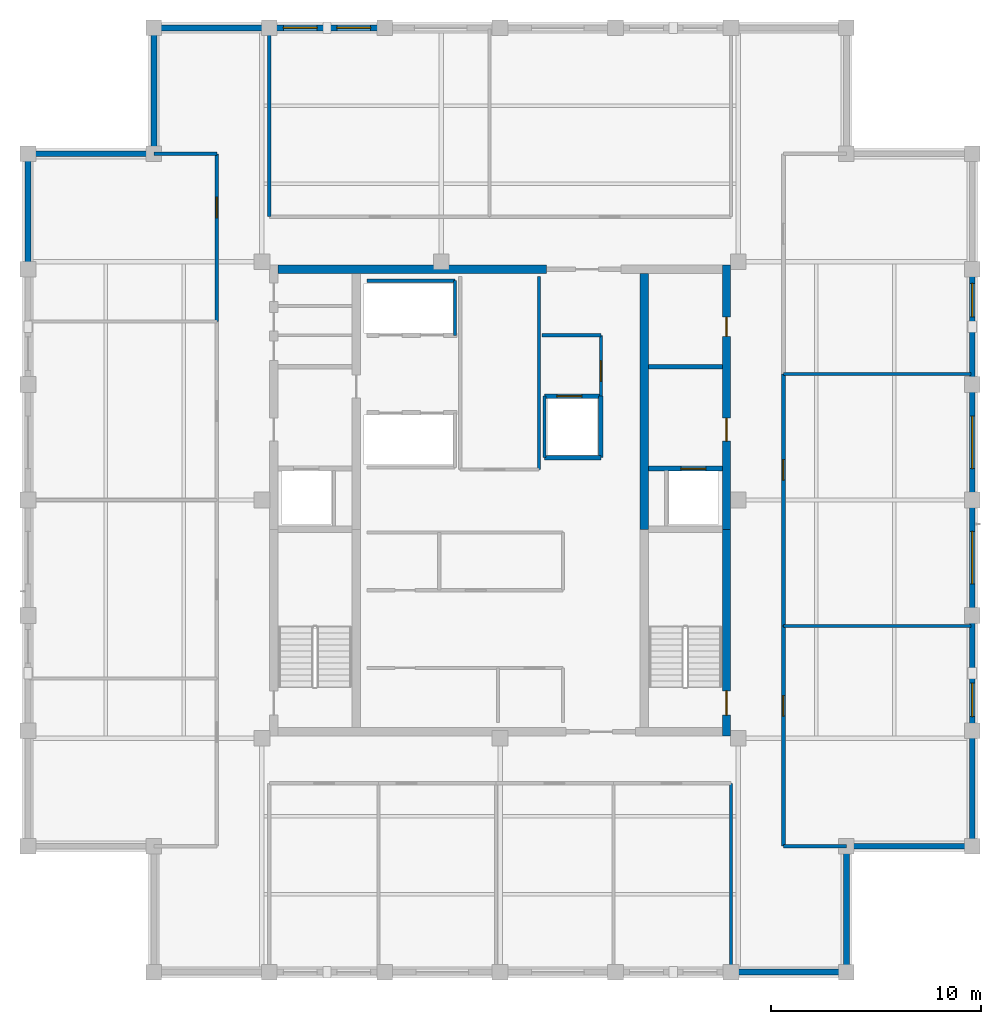
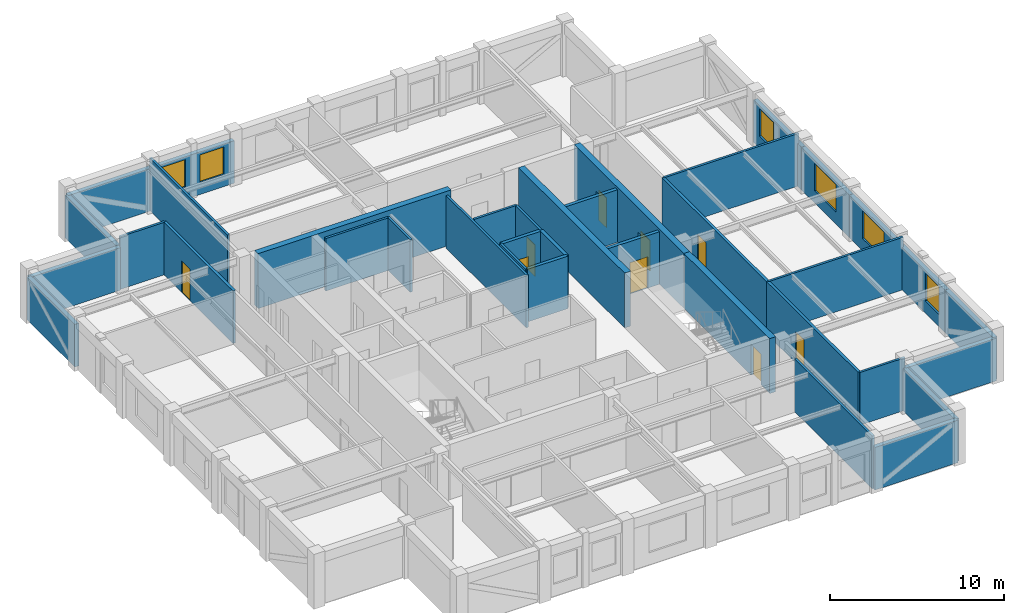
# One storey, part 7 of 9: 37 walls, 9 doors, 6 windows, 15 openings.
"""IFC4 building model written with IfcOpenShell, lengths in metres."""

from ifc_helpers import new_model, si_unit, direction, frame, frame_2d, origin, place, context, subcontext, project, spatial, rectangle, extrude, material, layer, layer_set, type_object, element, fill, save


model = new_model("IFC4")

# Units and contexts
model_context = context("Model", 3, precision=1e-05, world=origin(), true_north=direction((0.0, 1.0)))
body_context = subcontext(model_context, "Body", "Model", "MODEL_VIEW")
ifc_project = project(units=[si_unit("LENGTHUNIT", "METRE"), si_unit("AREAUNIT", "SQUARE_METRE"), si_unit("VOLUMEUNIT", "CUBIC_METRE"), si_unit("PLANEANGLEUNIT", "RADIAN"), si_unit("MASSUNIT", "GRAM", prefix="KILO")], contexts=[model_context])

# Site, building, storey
site_placement = place(None, origin())
site = spatial("IfcSite", under=ifc_project, at=site_placement, CompositionType="ELEMENT")
building_placement = place(site_placement, origin())
building = spatial("IfcBuilding", under=site, at=building_placement, Name="Nhamokura Convention Tower", CompositionType="ELEMENT")
storey_placement = place(building_placement, frame((0.0, 0.0, 269.85009765625)))
storey = spatial("IfcBuildingStorey", under=building, at=storey_placement, Name="L66", CompositionType="ELEMENT", Elevation=269.85009765625)

# Walls
ifc_material_1 = material(Name="Bronze-pigmented precast concrete C45/55", Category="concrete")
ifc_layer_1 = layer(ifc_material_1, 0.280029296875)
ifc_layer_set_1 = layer_set([ifc_layer_1], Name="BronzePrecastSpandrel_280")
wall_type_1 = type_object("IfcWallType", Name="BronzePrecastSpandrel_280", PredefinedType="USERDEFINED", material=ifc_layer_set_1)
for number, where, z_axis, x_axis, name in (
    (1, (48.5, 9.5, 0.0), (0.0, 0.0, 1.0), (-1.0, 0.0, 0.0), "L66 Braced-Bay Precast Wall SOUTH 5"),
    (2, (15.5, 54.5, 0.0), (0.0, 0.0, 1.0), (1.0, 0.0, 0.0), "L66 Braced-Bay Precast Wall NORTH 0"),
):
    element("IfcWall", number, at=place(storey_placement, frame(where, z_axis=z_axis, x_axis=x_axis)), inside=storey, type_object=wall_type_1, Name=name, ObjectType="SPANDREL_WALL", PredefinedType="USERDEFINED", context=body_context, shape_type="SweptSolid", body=[
        extrude(rectangle(XDim=5.5, YDim=0.280029296875, at=frame_2d((2.75, 0.0))), origin(), (0.0, 0.0, 1.0), 2.98486328125),
    ])

# Wall, openings, windows
wall_1_placement = place(storey_placement, frame((21.0, 54.5, 0.0), z_axis=(0.0, 0.0, 1.0), x_axis=(1.0, 0.0, 0.0)))
wall_1 = element("IfcWall", 3, at=wall_1_placement, inside=storey, type_object=wall_type_1, Name="L66 Masonry-Frame Wall NORTH 1", ObjectType="SPANDREL_WALL", PredefinedType="USERDEFINED", context=body_context, shape_type="SweptSolid", body=[
    extrude(rectangle(XDim=5.5, YDim=0.280029296875, at=frame_2d((2.75, 0.0))), origin(), (0.0, 0.0, 1.0), 2.98486328125),
])
opening_1_placement = place(wall_1_placement, frame((0.675048828125, 0.0, 0.85009765625)))
opening_1 = element("IfcOpeningElement", 4, at=opening_1_placement, cuts=wall_1, Name="Opening W-11", PredefinedType="OPENING", context=body_context, shape_type="SweptSolid", body=[
    extrude(rectangle(XDim=1.60009765625, YDim=1.93505859375, at=frame_2d((0.800048828125, 0.967529296875))), frame((0.0, 0.14990234375, 0.0), z_axis=(0.0, -1.0, 0.0), x_axis=(1.0, 0.0, 0.0)), (0.0, 0.0, 1.0), 0.300048828125),
])
opening_2_placement = place(wall_1_placement, frame((3.22509765625, 0.0, 0.85009765625)))
opening_2 = element("IfcOpeningElement", 5, at=opening_2_placement, cuts=wall_1, Name="Opening W-11", PredefinedType="OPENING", context=body_context, shape_type="SweptSolid", body=[
    extrude(rectangle(XDim=1.60009765625, YDim=1.93505859375, at=frame_2d((0.800048828125, 0.967529296875))), frame((0.0, 0.14990234375, 0.0), z_axis=(0.0, -1.0, 0.0), x_axis=(1.0, 0.0, 0.0)), (0.0, 0.0, 1.0), 0.300048828125),
])
ifc_material_2 = material(Name="Solar-control bronze low-E double glass", Category="glass")
window_type_1 = type_object("IfcWindowType", Name="NotchCornerWindow_1600", PartitioningType="SINGLE_PANEL", PredefinedType="WINDOW", material=ifc_material_2)
window_1_placement = place(opening_1_placement, origin())
window_1 = element("IfcWindow", 6, at=window_1_placement, inside=storey, type_object=window_type_1, Name="L66 Facade Window NORTH 1-1", OverallHeight=1.93505859375, OverallWidth=1.60009765625, PartitioningType="SINGLE_PANEL", PredefinedType="WINDOW", context=body_context, shape_type="SweptSolid", body=[
    extrude(rectangle(XDim=1.60009765625, YDim=1.93505859375, at=frame_2d((0.800048828125, 0.967529296875))), frame((0.0, 0.030029296875, 0.0), z_axis=(0.0, -1.0, 0.0), x_axis=(1.0, 0.0, 0.0)), (0.0, 0.0, 1.0), 0.06005859375),
])
fill(opening_1, window_1)
window_2_placement = place(opening_2_placement, origin())
window_2 = element("IfcWindow", 7, at=window_2_placement, inside=storey, type_object=window_type_1, Name="L66 Facade Window NORTH 1-2", OverallHeight=1.93505859375, OverallWidth=1.60009765625, PartitioningType="SINGLE_PANEL", PredefinedType="WINDOW", context=body_context, shape_type="SweptSolid", body=[
    extrude(rectangle(XDim=1.60009765625, YDim=1.93505859375, at=frame_2d((0.800048828125, 0.967529296875))), frame((0.0, 0.030029296875, 0.0), z_axis=(0.0, -1.0, 0.0), x_axis=(1.0, 0.0, 0.0)), (0.0, 0.0, 1.0), 0.06005859375),
])
fill(opening_2, window_2)

# Walls
for number, where, z_axis, x_axis, name in (
    (8, (9.5, 43.0, 0.0), (0.0, 0.0, 1.0), (0.0, 1.0, 0.0), "L66 Braced-Bay Precast Wall WEST 5"),
    (9, (54.5, 21.0, 0.0), (0.0, 0.0, 1.0), (0.0, -1.0, 0.0), "L66 Braced-Bay Precast Wall EAST 0"),
):
    element("IfcWall", number, at=place(storey_placement, frame(where, z_axis=z_axis, x_axis=x_axis)), inside=storey, type_object=wall_type_1, Name=name, ObjectType="SPANDREL_WALL", PredefinedType="USERDEFINED", context=body_context, shape_type="SweptSolid", body=[
        extrude(rectangle(XDim=5.5, YDim=0.280029296875, at=frame_2d((2.75, 0.0))), origin(), (0.0, 0.0, 1.0), 2.98486328125),
    ])

# Wall, opening, window
wall_2_placement = place(storey_placement, frame((54.5, 26.5, 0.0), z_axis=(0.0, 0.0, 1.0), x_axis=(0.0, -1.0, 0.0)))
wall_2 = element("IfcWall", 10, at=wall_2_placement, inside=storey, type_object=wall_type_1, Name="L66 Masonry-Frame Wall EAST 1", ObjectType="SPANDREL_WALL", PredefinedType="USERDEFINED", context=body_context, shape_type="SweptSolid", body=[
    extrude(rectangle(XDim=5.5, YDim=0.280029296875, at=frame_2d((2.75, 0.0))), origin(), (0.0, 0.0, 1.0), 2.98486328125),
])
opening_3_placement = place(wall_2_placement, frame((3.22509765625, 0.0, 0.85009765625)))
opening_3 = element("IfcOpeningElement", 11, at=opening_3_placement, cuts=wall_2, Name="Opening W-11", PredefinedType="OPENING", context=body_context, shape_type="SweptSolid", body=[
    extrude(rectangle(XDim=1.60009765625, YDim=1.93505859375, at=frame_2d((0.800048828125, 0.967529296875))), frame((0.0, 0.14990234375, 0.0), z_axis=(0.0, -1.0, 0.0), x_axis=(1.0, 0.0, 0.0)), (0.0, 0.0, 1.0), 0.300048828125),
])
window_3_placement = place(opening_3_placement, origin())
window_3 = element("IfcWindow", 12, at=window_3_placement, inside=storey, type_object=window_type_1, Name="L66 Facade Window EAST 1-2", OverallHeight=1.93505859375, OverallWidth=1.60009765625, PartitioningType="SINGLE_PANEL", PredefinedType="WINDOW", context=body_context, shape_type="SweptSolid", body=[
    extrude(rectangle(XDim=1.60009765625, YDim=1.93505859375, at=frame_2d((0.800048828125, 0.967529296875))), frame((0.0, 0.030029296875, 0.0), z_axis=(0.0, -1.0, 0.0), x_axis=(1.0, 0.0, 0.0)), (0.0, 0.0, 1.0), 0.06005859375),
])
fill(opening_3, window_3)

wall_3_placement = place(storey_placement, frame((54.5, 32.0, 0.0), z_axis=(0.0, 0.0, 1.0), x_axis=(0.0, -1.0, 0.0)))
wall_3 = element("IfcWall", 13, at=wall_3_placement, inside=storey, type_object=wall_type_1, Name="L66 Masonry-Frame Wall EAST 2", ObjectType="SPANDREL_WALL", PredefinedType="USERDEFINED", context=body_context, shape_type="SweptSolid", body=[
    extrude(rectangle(XDim=5.5, YDim=0.280029296875, at=frame_2d((2.75, 0.0))), origin(), (0.0, 0.0, 1.0), 2.98486328125),
])
opening_4_placement = place(wall_3_placement, frame((1.5, 0.0, 0.85009765625)))
opening_4 = element("IfcOpeningElement", 14, at=opening_4_placement, cuts=wall_3, Name="Opening W-09", PredefinedType="OPENING", context=body_context, shape_type="SweptSolid", body=[
    extrude(rectangle(XDim=2.5, YDim=1.93505859375, at=frame_2d((1.25, 0.967529296875))), frame((0.0, 0.14990234375, 0.0), z_axis=(0.0, -1.0, 0.0), x_axis=(1.0, 0.0, 0.0)), (0.0, 0.0, 1.0), 0.300048828125),
])
ifc_material_3 = material(Name="Solar-control bronze low-E double glass", Category="glass")
window_type_2 = type_object("IfcWindowType", Name="SummitWindow_Z4_2500", PartitioningType="DOUBLE_PANEL_VERTICAL", PredefinedType="WINDOW", material=ifc_material_3)
window_4_placement = place(opening_4_placement, origin())
window_4 = element("IfcWindow", 15, at=window_4_placement, inside=storey, type_object=window_type_2, Name="L66 Facade Window EAST 2", OverallHeight=1.93505859375, OverallWidth=2.5, PartitioningType="SINGLE_PANEL", PredefinedType="WINDOW", context=body_context, shape_type="SweptSolid", body=[
    extrude(rectangle(XDim=2.5, YDim=1.93505859375, at=frame_2d((1.25, 0.967529296875))), frame((0.0, 0.030029296875, 0.0), z_axis=(0.0, -1.0, 0.0), x_axis=(1.0, 0.0, 0.0)), (0.0, 0.0, 1.0), 0.06005859375),
])
fill(opening_4, window_4)

wall_4_placement = place(storey_placement, frame((54.5, 37.5, 0.0), z_axis=(0.0, 0.0, 1.0), x_axis=(0.0, -1.0, 0.0)))
wall_4 = element("IfcWall", 16, at=wall_4_placement, inside=storey, type_object=wall_type_1, Name="L66 Masonry-Frame Wall EAST 3", ObjectType="SPANDREL_WALL", PredefinedType="USERDEFINED", context=body_context, shape_type="SweptSolid", body=[
    extrude(rectangle(XDim=5.5, YDim=0.280029296875, at=frame_2d((2.75, 0.0))), origin(), (0.0, 0.0, 1.0), 2.98486328125),
])
opening_5_placement = place(wall_4_placement, frame((1.5, 0.0, 0.85009765625)))
opening_5 = element("IfcOpeningElement", 17, at=opening_5_placement, cuts=wall_4, Name="Opening W-09", PredefinedType="OPENING", context=body_context, shape_type="SweptSolid", body=[
    extrude(rectangle(XDim=2.5, YDim=1.93505859375, at=frame_2d((1.25, 0.967529296875))), frame((0.0, 0.14990234375, 0.0), z_axis=(0.0, -1.0, 0.0), x_axis=(1.0, 0.0, 0.0)), (0.0, 0.0, 1.0), 0.300048828125),
])
window_5_placement = place(opening_5_placement, origin())
window_5 = element("IfcWindow", 18, at=window_5_placement, inside=storey, type_object=window_type_2, Name="L66 Facade Window EAST 3", OverallHeight=1.93505859375, OverallWidth=2.5, PartitioningType="SINGLE_PANEL", PredefinedType="WINDOW", context=body_context, shape_type="SweptSolid", body=[
    extrude(rectangle(XDim=2.5, YDim=1.93505859375, at=frame_2d((1.25, 0.967529296875))), frame((0.0, 0.030029296875, 0.0), z_axis=(0.0, -1.0, 0.0), x_axis=(1.0, 0.0, 0.0)), (0.0, 0.0, 1.0), 0.06005859375),
])
fill(opening_5, window_5)

wall_5_placement = place(storey_placement, frame((54.5, 43.0, 0.0), z_axis=(0.0, 0.0, 1.0), x_axis=(0.0, -1.0, 0.0)))
wall_5 = element("IfcWall", 19, at=wall_5_placement, inside=storey, type_object=wall_type_1, Name="L66 Masonry-Frame Wall EAST 4", ObjectType="SPANDREL_WALL", PredefinedType="USERDEFINED", context=body_context, shape_type="SweptSolid", body=[
    extrude(rectangle(XDim=5.5, YDim=0.280029296875, at=frame_2d((2.75, 0.0))), origin(), (0.0, 0.0, 1.0), 2.98486328125),
])
opening_6_placement = place(wall_5_placement, frame((0.675048828125, 0.0, 0.85009765625)))
opening_6 = element("IfcOpeningElement", 20, at=opening_6_placement, cuts=wall_5, Name="Opening W-11", PredefinedType="OPENING", context=body_context, shape_type="SweptSolid", body=[
    extrude(rectangle(XDim=1.60009765625, YDim=1.93505859375, at=frame_2d((0.800048828125, 0.967529296875))), frame((0.0, 0.14990234375, 0.0), z_axis=(0.0, -1.0, 0.0), x_axis=(1.0, 0.0, 0.0)), (0.0, 0.0, 1.0), 0.300048828125),
])
window_6_placement = place(opening_6_placement, origin())
window_6 = element("IfcWindow", 21, at=window_6_placement, inside=storey, type_object=window_type_1, Name="L66 Facade Window EAST 4-1", OverallHeight=1.93505859375, OverallWidth=1.60009765625, PartitioningType="SINGLE_PANEL", PredefinedType="WINDOW", context=body_context, shape_type="SweptSolid", body=[
    extrude(rectangle(XDim=1.60009765625, YDim=1.93505859375, at=frame_2d((0.800048828125, 0.967529296875))), frame((0.0, 0.030029296875, 0.0), z_axis=(0.0, -1.0, 0.0), x_axis=(1.0, 0.0, 0.0)), (0.0, 0.0, 1.0), 0.06005859375),
])
fill(opening_6, window_6)

# Walls
for number, where, z_axis, x_axis, name in (
    (22, (48.5, 15.5, 0.0), (0.0, 0.0, 1.0), (0.0, -1.0, 0.0), "L66 Notched Corner Wall SE1"),
    (23, (54.5, 15.5, 0.0), (0.0, 0.0, 1.0), (-1.0, 0.0, 0.0), "L66 Notched Corner Wall SE2"),
    (24, (15.5, 48.5, 0.0), (0.0, 0.0, 1.0), (0.0, 1.0, 0.0), "L66 Notched Corner Wall NW1"),
    (25, (9.5, 48.5, 0.0), (0.0, 0.0, 1.0), (1.0, 0.0, 0.0), "L66 Notched Corner Wall NW2"),
):
    element("IfcWall", number, at=place(storey_placement, frame(where, z_axis=z_axis, x_axis=x_axis)), inside=storey, type_object=wall_type_1, Name=name, ObjectType="SPANDREL_WALL", PredefinedType="USERDEFINED", context=body_context, shape_type="SweptSolid", body=[
        extrude(rectangle(XDim=6.0, YDim=0.280029296875, at=frame_2d((3.0, 0.0))), origin(), (0.0, 0.0, 1.0), 2.98486328125),
    ])

# Wall, opening, door
ifc_material_4 = material(Name="Concrete C50/60", Category="concrete")
ifc_layer_2 = layer(ifc_material_4, 0.39990234375)
ifc_layer_set_2 = layer_set([ifc_layer_2], Name="CoreShearWall_400")
wall_type_2 = type_object("IfcWallType", Name="CoreShearWall_400", PredefinedType="SHEAR", material=ifc_layer_set_2)
wall_6_placement = place(storey_placement, frame((42.7900390625, 20.75, 0.0), z_axis=(0.0, 0.0, 1.0), x_axis=(0.0, 1.0, 0.0)))
wall_6 = element("IfcWall", 26, at=wall_6_placement, inside=storey, type_object=wall_type_2, Name="L66 Core Shear Wall CW-ES", PredefinedType="SHEAR", context=body_context, shape_type="SweptSolid", body=[
    extrude(rectangle(XDim=9.85009765625, YDim=0.39990234375, at=frame_2d((4.925048828125, 0.0))), origin(), (0.0, 0.0, 1.0), 3.849853515625),
])
opening_7_placement = place(wall_6_placement, frame((1.0, 0.0, 0.0)))
opening_7 = element("IfcOpeningElement", 27, at=opening_7_placement, cuts=wall_6, Name="Opening D-04", PredefinedType="OPENING", context=body_context, shape_type="SweptSolid", body=[
    extrude(rectangle(XDim=1.14990234375, YDim=2.14990234375, at=frame_2d((0.574951171875, 1.074951171875))), frame((0.0, 0.2099609375, 0.0), z_axis=(0.0, -1.0, 0.0), x_axis=(1.0, 0.0, 0.0)), (0.0, 0.0, 1.0), 0.419921875),
])
ifc_material_5 = material(Name="Fire-rated steel door", Category="steel")
door_type_1 = type_object("IfcDoorType", Name="StairSmokeDoor_1150", OperationType="NOTDEFINED", PredefinedType="DOOR", material=ifc_material_5)
door_1_placement = place(opening_7_placement, origin())
door_1 = element("IfcDoor", 28, at=door_1_placement, inside=storey, type_object=door_type_1, Name="L66 Core Door INT-L66-D-ST02", OperationType="SINGLE_SWING_RIGHT", OverallHeight=2.14990234375, OverallWidth=1.14990234375, PredefinedType="DOOR", context=body_context, shape_type="SweptSolid", body=[
    extrude(rectangle(XDim=1.14990234375, YDim=2.14990234375, at=frame_2d((0.574951171875, 1.074951171875))), frame((0.0, 0.02490234375, 0.0), z_axis=(0.0, -1.0, 0.0), x_axis=(1.0, 0.0, 0.0)), (0.0, 0.0, 1.0), 0.050048828125),
])
fill(opening_7, door_1)

# Wall, openings, doors
wall_7_placement = place(storey_placement, frame((42.7900390625, 30.60009765625, 0.0), z_axis=(0.0, 0.0, 1.0), x_axis=(0.0, 1.0, 0.0)))
wall_7 = element("IfcWall", 29, at=wall_7_placement, inside=storey, type_object=wall_type_2, Name="L66 Core Shear Wall CW-EN", PredefinedType="SHEAR", context=body_context, shape_type="SweptSolid", body=[
    extrude(rectangle(XDim=12.599853515625, YDim=0.39990234375, at=frame_2d((6.2998046875, 0.0))), origin(), (0.0, 0.0, 1.0), 3.849853515625),
])
opening_8_placement = place(wall_7_placement, frame((4.199951171875, 0.0, 0.0)))
opening_8 = element("IfcOpeningElement", 30, at=opening_8_placement, cuts=wall_7, Name="Opening D-05", PredefinedType="OPENING", context=body_context, shape_type="SweptSolid", body=[
    extrude(rectangle(XDim=1.10009765625, YDim=2.14990234375, at=frame_2d((0.550048828125, 1.074951171875))), frame((0.0, 0.2099609375, 0.0), z_axis=(0.0, -1.0, 0.0), x_axis=(1.0, 0.0, 0.0)), (0.0, 0.0, 1.0), 0.419921875),
])
opening_9_placement = place(wall_7_placement, frame((9.199951171875, 0.0, 0.0)))
opening_9 = element("IfcOpeningElement", 31, at=opening_9_placement, cuts=wall_7, Name="Opening D-10", PredefinedType="OPENING", context=body_context, shape_type="SweptSolid", body=[
    extrude(rectangle(XDim=0.919921875, YDim=2.10009765625, at=frame_2d((0.4599609375, 1.050048828125))), frame((0.0, 0.2099609375, 0.0), z_axis=(0.0, -1.0, 0.0), x_axis=(1.0, 0.0, 0.0)), (0.0, 0.0, 1.0), 0.419921875),
])
ifc_material_6 = material(Name="Solid oak hardwood", Category="wood")
door_type_2 = type_object("IfcDoorType", Name="AccessibleWCDoor_920", OperationType="NOTDEFINED", PredefinedType="DOOR", material=ifc_material_6)
door_2_placement = place(opening_9_placement, origin())
door_2 = element("IfcDoor", 32, at=door_2_placement, inside=storey, type_object=door_type_2, Name="L66 Core Door INT-L66-D-UWC", OperationType="SINGLE_SWING_RIGHT", OverallHeight=2.10009765625, OverallWidth=0.919921875, PredefinedType="DOOR", context=body_context, shape_type="SweptSolid", body=[
    extrude(rectangle(XDim=0.919921875, YDim=2.10009765625, at=frame_2d((0.4599609375, 1.050048828125))), frame((0.0, 0.02490234375, 0.0), z_axis=(0.0, -1.0, 0.0), x_axis=(1.0, 0.0, 0.0)), (0.0, 0.0, 1.0), 0.050048828125),
])
fill(opening_9, door_2)
ifc_material_7 = material(Name="Fire-rated steel door", Category="steel")
door_type_3 = type_object("IfcDoorType", Name="FireLobbyDoor_1100", OperationType="NOTDEFINED", PredefinedType="DOOR", material=ifc_material_7)
door_3_placement = place(opening_8_placement, origin())
door_3 = element("IfcDoor", 33, at=door_3_placement, inside=storey, type_object=door_type_3, Name="L66 Core Door INT-L66-D-FFLE", OperationType="SINGLE_SWING_LEFT", OverallHeight=2.14990234375, OverallWidth=1.10009765625, PredefinedType="DOOR", context=body_context, shape_type="SweptSolid", body=[
    extrude(rectangle(XDim=1.10009765625, YDim=2.14990234375, at=frame_2d((0.550048828125, 1.074951171875))), frame((0.0, 0.02490234375, 0.0), z_axis=(0.0, -1.0, 0.0), x_axis=(1.0, 0.0, 0.0)), (0.0, 0.0, 1.0), 0.050048828125),
])
fill(opening_8, door_3)

# Walls
wall_8_placement = place(storey_placement, frame((21.409912109375, 43.0, 0.0), z_axis=(0.0, 0.0, 1.0), x_axis=(1.0, 0.0, 0.0)))
element("IfcWall", 34, at=wall_8_placement, inside=storey, type_object=wall_type_2, Name="L66 Core Shear Wall CW-N1", PredefinedType="SHEAR", context=body_context, shape_type="SweptSolid", body=[
    extrude(rectangle(XDim=12.7900390625, YDim=0.39990234375, at=frame_2d((6.39501953125, 0.0))), origin(), (0.0, 0.0, 1.0), 3.849853515625),
])
wall_9_placement = place(storey_placement, frame((38.860107421875, 30.60009765625, 0.0), z_axis=(0.0, 0.0, 1.0), x_axis=(0.0, 1.0, 0.0)))
element("IfcWall", 35, at=wall_9_placement, inside=storey, type_object=wall_type_2, Name="L66 Core Shear Wall CW-IEN", PredefinedType="SHEAR", context=body_context, shape_type="SweptSolid", body=[
    extrude(rectangle(XDim=12.199951171875, YDim=0.39990234375, at=frame_2d((6.10009765625, 0.0))), origin(), (0.0, 0.0, 1.0), 3.849853515625),
])

# Wall, opening, door
ifc_material_8 = material(Name="Fire-rated gypsum and masonry partition", Category="masonry")
ifc_layer_3 = layer(ifc_material_8, 0.179931640625)
ifc_layer_set_3 = layer_set([ifc_layer_3], Name="CorridorRatedWall_180")
wall_type_3 = type_object("IfcWallType", Name="CorridorRatedWall_180", PredefinedType="STANDARD", material=ifc_layer_set_3)
wall_10_placement = place(storey_placement, frame((18.5, 40.5, 0.0), z_axis=(0.0, 0.0, 1.0), x_axis=(0.0, 1.0, 0.0)))
wall_10 = element("IfcWall", 36, at=wall_10_placement, inside=storey, type_object=wall_type_3, Name="L66 Wall INT-L66-CW-W03", PredefinedType="STANDARD", context=body_context, shape_type="SweptSolid", body=[
    extrude(rectangle(XDim=8.0, YDim=0.179931640625, at=frame_2d((4.0, 0.0))), origin(), (0.0, 0.0, 1.0), 3.684814453125),
])
opening_10_placement = place(wall_10_placement, frame((4.949951171875, 0.0, 0.0)))
opening_10 = element("IfcOpeningElement", 37, at=opening_10_placement, cuts=wall_10, Name="Opening D-08", PredefinedType="OPENING", context=body_context, shape_type="SweptSolid", body=[
    extrude(rectangle(XDim=0.97998046875, YDim=2.199951171875, at=frame_2d((0.489990234375, 1.10009765625))), frame((0.0, 0.099853515625, 0.0), z_axis=(0.0, -1.0, 0.0), x_axis=(1.0, 0.0, 0.0)), (0.0, 0.0, 1.0), 0.199951171875),
])
ifc_material_9 = material(Name="Solid oak hardwood", Category="wood")
door_type_4 = type_object("IfcDoorType", Name="OfficeEntryDoor_980", OperationType="NOTDEFINED", PredefinedType="DOOR", material=ifc_material_9)
door_4_placement = place(opening_10_placement, origin())
door_4 = element("IfcDoor", 38, at=door_4_placement, inside=storey, type_object=door_type_4, Name="L66 Private Office W04 Door", OperationType="SINGLE_SWING_RIGHT", OverallHeight=2.199951171875, OverallWidth=0.97998046875, PredefinedType="DOOR", context=body_context, shape_type="SweptSolid", body=[
    extrude(rectangle(XDim=0.97998046875, YDim=2.199951171875, at=frame_2d((0.489990234375, 1.10009765625))), frame((0.0, 0.02490234375, 0.0), z_axis=(0.0, -1.0, 0.0), x_axis=(1.0, 0.0, 0.0)), (0.0, 0.0, 1.0), 0.050048828125),
])
fill(opening_10, door_4)

wall_11_placement = place(storey_placement, frame((45.5, 15.5, 0.0), z_axis=(0.0, 0.0, 1.0), x_axis=(0.0, 1.0, 0.0)))
wall_11 = element("IfcWall", 39, at=wall_11_placement, inside=storey, type_object=wall_type_3, Name="L66 Wall INT-L66-CW-E00", PredefinedType="STANDARD", context=body_context, shape_type="SweptSolid", body=[
    extrude(rectangle(XDim=10.5, YDim=0.179931640625, at=frame_2d((5.25, 0.0))), origin(), (0.0, 0.0, 1.0), 3.684814453125),
])
opening_11_placement = place(wall_11_placement, frame((6.199951171875, 0.0, 0.0)))
opening_11 = element("IfcOpeningElement", 40, at=opening_11_placement, cuts=wall_11, Name="Opening D-08", PredefinedType="OPENING", context=body_context, shape_type="SweptSolid", body=[
    extrude(rectangle(XDim=0.97998046875, YDim=2.199951171875, at=frame_2d((0.489990234375, 1.10009765625))), frame((0.0, 0.099853515625, 0.0), z_axis=(0.0, -1.0, 0.0), x_axis=(1.0, 0.0, 0.0)), (0.0, 0.0, 1.0), 0.199951171875),
])
door_5_placement = place(opening_11_placement, origin())
door_5 = element("IfcDoor", 41, at=door_5_placement, inside=storey, type_object=door_type_4, Name="L66 Reception Lounge E01 Door", OperationType="SINGLE_SWING_LEFT", OverallHeight=2.199951171875, OverallWidth=0.97998046875, PredefinedType="DOOR", context=body_context, shape_type="SweptSolid", body=[
    extrude(rectangle(XDim=0.97998046875, YDim=2.199951171875, at=frame_2d((0.489990234375, 1.10009765625))), frame((0.0, 0.02490234375, 0.0), z_axis=(0.0, -1.0, 0.0), x_axis=(1.0, 0.0, 0.0)), (0.0, 0.0, 1.0), 0.050048828125),
])
fill(opening_11, door_5)

wall_12_placement = place(storey_placement, frame((45.5, 26.0, 0.0), z_axis=(0.0, 0.0, 1.0), x_axis=(0.0, 1.0, 0.0)))
wall_12 = element("IfcWall", 42, at=wall_12_placement, inside=storey, type_object=wall_type_3, Name="L66 Wall INT-L66-CW-E01", PredefinedType="STANDARD", context=body_context, shape_type="SweptSolid", body=[
    extrude(rectangle(XDim=12.0, YDim=0.179931640625, at=frame_2d((6.0, 0.0))), origin(), (0.0, 0.0, 1.0), 3.684814453125),
])
opening_12_placement = place(wall_12_placement, frame((6.949951171875, 0.0, 0.0)))
opening_12 = element("IfcOpeningElement", 43, at=opening_12_placement, cuts=wall_12, Name="Opening D-08", PredefinedType="OPENING", context=body_context, shape_type="SweptSolid", body=[
    extrude(rectangle(XDim=0.97998046875, YDim=2.199951171875, at=frame_2d((0.489990234375, 1.10009765625))), frame((0.0, 0.099853515625, 0.0), z_axis=(0.0, -1.0, 0.0), x_axis=(1.0, 0.0, 0.0)), (0.0, 0.0, 1.0), 0.199951171875),
])
door_6_placement = place(opening_12_placement, origin())
door_6 = element("IfcDoor", 44, at=door_6_placement, inside=storey, type_object=door_type_4, Name="L66 Private Office E02 Door", OperationType="SINGLE_SWING_RIGHT", OverallHeight=2.199951171875, OverallWidth=0.97998046875, PredefinedType="DOOR", context=body_context, shape_type="SweptSolid", body=[
    extrude(rectangle(XDim=0.97998046875, YDim=2.199951171875, at=frame_2d((0.489990234375, 1.10009765625))), frame((0.0, 0.02490234375, 0.0), z_axis=(0.0, -1.0, 0.0), x_axis=(1.0, 0.0, 0.0)), (0.0, 0.0, 1.0), 0.050048828125),
])
fill(opening_12, door_6)

ifc_material_10 = material(Name="Autoclaved concrete blockwork", Category="masonry")
ifc_layer_4 = layer(ifc_material_10, 0.219970703125)
ifc_layer_set_4 = layer_set([ifc_layer_4], Name="FireLobbyWall_220")
wall_type_4 = type_object("IfcWallType", Name="FireLobbyWall_220", PredefinedType="STANDARD", material=ifc_layer_set_4)
wall_13_placement = place(storey_placement, frame((39.06005859375, 33.5, 0.0), z_axis=(0.0, 0.0, 1.0), x_axis=(1.0, 0.0, 0.0)))
wall_13 = element("IfcWall", 45, at=wall_13_placement, inside=storey, type_object=wall_type_4, Name="L66 Wall INT-L66-FFE-S", PredefinedType="STANDARD", context=body_context, shape_type="SweptSolid", body=[
    extrude(rectangle(XDim=3.530029296875, YDim=0.219970703125, at=frame_2d((1.76513671875, 0.0))), origin(), (0.0, 0.0, 1.0), 3.684814453125),
])
opening_13_placement = place(wall_13_placement, frame((1.550048828125, 0.0, 0.0)))
opening_13 = element("IfcOpeningElement", 46, at=opening_13_placement, cuts=wall_13, Name="Opening LD-02", PredefinedType="OPENING", context=body_context, shape_type="SweptSolid", body=[
    extrude(rectangle(XDim=1.199951171875, YDim=2.199951171875, at=frame_2d((0.60009765625, 1.10009765625))), frame((0.0, 0.119873046875, 0.0), z_axis=(0.0, -1.0, 0.0), x_axis=(1.0, 0.0, 0.0)), (0.0, 0.0, 1.0), 0.239990234375),
])
ifc_material_11 = material(Name="Anodised bronze stainless steel", Category="steel")
door_type_5 = type_object("IfcDoorType", Name="LiftLandingDoor_FireService", OperationType="DOUBLE_DOOR_SLIDING", PredefinedType="DOOR", material=ifc_material_11)
door_7_placement = place(opening_13_placement, origin())
door_7 = element("IfcDoor", 47, at=door_7_placement, inside=storey, type_object=door_type_5, Name="L66 Firefighting Lift LF-02 Door", OperationType="DOUBLE_DOOR_SLIDING", OverallHeight=2.199951171875, OverallWidth=1.199951171875, PredefinedType="DOOR", context=body_context, shape_type="SweptSolid", body=[
    extrude(rectangle(XDim=1.199951171875, YDim=2.199951171875, at=frame_2d((0.60009765625, 1.10009765625))), frame((0.0, 0.02490234375, 0.0), z_axis=(0.0, -1.0, 0.0), x_axis=(1.0, 0.0, 0.0)), (0.0, 0.0, 1.0), 0.050048828125),
])
fill(opening_13, door_7)

# Wall
wall_14_placement = place(storey_placement, frame((39.06005859375, 38.35009765625, 0.0), z_axis=(0.0, 0.0, 1.0), x_axis=(1.0, 0.0, 0.0)))
element("IfcWall", 48, at=wall_14_placement, inside=storey, type_object=wall_type_4, Name="L66 Wall INT-L66-FFE-N", PredefinedType="STANDARD", context=body_context, shape_type="SweptSolid", body=[
    extrude(rectangle(XDim=3.530029296875, YDim=0.219970703125, at=frame_2d((1.76513671875, 0.0))), origin(), (0.0, 0.0, 1.0), 3.684814453125),
])

# Wall, opening, door
wall_15_placement = place(storey_placement, frame((34.1201171875, 36.949951171875, 0.0), z_axis=(0.0, 0.0, 1.0), x_axis=(1.0, 0.0, 0.0)))
wall_15 = element("IfcWall", 49, at=wall_15_placement, inside=storey, type_object=wall_type_4, Name="L66 Wall INT-L66-LSN", PredefinedType="STANDARD", context=body_context, shape_type="SweptSolid", body=[
    extrude(rectangle(XDim=2.679931640625, YDim=0.219970703125, at=frame_2d((1.33984375, 0.0))), origin(), (0.0, 0.0, 1.0), 3.684814453125),
])
opening_14_placement = place(wall_15_placement, frame((0.580078125, 0.0, 0.0)))
opening_14 = element("IfcOpeningElement", 50, at=opening_14_placement, cuts=wall_15, Name="Opening LD-02", PredefinedType="OPENING", context=body_context, shape_type="SweptSolid", body=[
    extrude(rectangle(XDim=1.199951171875, YDim=2.199951171875, at=frame_2d((0.60009765625, 1.10009765625))), frame((0.0, 0.119873046875, 0.0), z_axis=(0.0, -1.0, 0.0), x_axis=(1.0, 0.0, 0.0)), (0.0, 0.0, 1.0), 0.239990234375),
])
door_8_placement = place(opening_14_placement, origin())
door_8 = element("IfcDoor", 51, at=door_8_placement, inside=storey, type_object=door_type_5, Name="L66 Service Lift LS-01 Door", OperationType="DOUBLE_DOOR_SLIDING", OverallHeight=2.199951171875, OverallWidth=1.199951171875, PredefinedType="DOOR", context=body_context, shape_type="SweptSolid", body=[
    extrude(rectangle(XDim=1.199951171875, YDim=2.199951171875, at=frame_2d((0.60009765625, 1.10009765625))), frame((0.0, 0.02490234375, 0.0), z_axis=(0.0, -1.0, 0.0), x_axis=(1.0, 0.0, 0.0)), (0.0, 0.0, 1.0), 0.050048828125),
])
fill(opening_14, door_8)

# Walls
wall_16_placement = place(storey_placement, frame((36.800048828125, 34.02001953125, 0.0), z_axis=(0.0, 0.0, 1.0), x_axis=(0.0, 1.0, 0.0)))
element("IfcWall", 52, at=wall_16_placement, inside=storey, type_object=wall_type_4, Name="L66 Wall INT-L66-LSE", PredefinedType="STANDARD", context=body_context, shape_type="SweptSolid", body=[
    extrude(rectangle(XDim=2.929931640625, YDim=0.219970703125, at=frame_2d((1.46484375, 0.0))), origin(), (0.0, 0.0, 1.0), 3.684814453125),
])
wall_17_placement = place(storey_placement, frame((34.1201171875, 34.02001953125, 0.0), z_axis=(0.0, 0.0, 1.0), x_axis=(1.0, 0.0, 0.0)))
element("IfcWall", 53, at=wall_17_placement, inside=storey, type_object=wall_type_4, Name="L66 Wall INT-L66-LSS", PredefinedType="STANDARD", context=body_context, shape_type="SweptSolid", body=[
    extrude(rectangle(XDim=2.679931640625, YDim=0.219970703125, at=frame_2d((1.33984375, 0.0))), origin(), (0.0, 0.0, 1.0), 3.684814453125),
])
ifc_material_12 = material(Name="Acoustic gypsum stud partition", Category="masonry")
ifc_layer_5 = layer(ifc_material_12, 0.14990234375)
ifc_layer_set_5 = layer_set([ifc_layer_5], Name="InteriorPartition_150")
wall_type_5 = type_object("IfcWallType", Name="InteriorPartition_150", PredefinedType="STANDARD", material=ifc_layer_set_5)
wall_18_placement = place(storey_placement, frame((34.0, 39.85009765625, 0.0), z_axis=(0.0, 0.0, 1.0), x_axis=(1.0, 0.0, 0.0)))
element("IfcWall", 54, at=wall_18_placement, inside=storey, type_object=wall_type_5, Name="L66 Wall INT-L66-NE-TELN", PredefinedType="STANDARD", context=body_context, shape_type="SweptSolid", body=[
    extrude(rectangle(XDim=2.800048828125, YDim=0.14990234375, at=frame_2d((1.39990234375, 0.0))), origin(), (0.0, 0.0, 1.0), 3.684814453125),
])

# Wall, opening, door
wall_19_placement = place(storey_placement, frame((36.800048828125, 36.949951171875, 0.0), z_axis=(0.0, 0.0, 1.0), x_axis=(0.0, 1.0, 0.0)))
wall_19 = element("IfcWall", 55, at=wall_19_placement, inside=storey, type_object=wall_type_5, Name="L66 Wall INT-L66-NE-TELE", PredefinedType="STANDARD", context=body_context, shape_type="SweptSolid", body=[
    extrude(rectangle(XDim=2.900146484375, YDim=0.14990234375, at=frame_2d((1.4501953125, 0.0))), origin(), (0.0, 0.0, 1.0), 3.684814453125),
])
opening_15_placement = place(wall_19_placement, frame((0.699951171875, 0.0, 0.0)))
opening_15 = element("IfcOpeningElement", 56, at=opening_15_placement, cuts=wall_19, Name="Opening D-08", PredefinedType="OPENING", context=body_context, shape_type="SweptSolid", body=[
    extrude(rectangle(XDim=0.97998046875, YDim=2.199951171875, at=frame_2d((0.489990234375, 1.10009765625))), frame((0.0, 0.0849609375, 0.0), z_axis=(0.0, -1.0, 0.0), x_axis=(1.0, 0.0, 0.0)), (0.0, 0.0, 1.0), 0.169921875),
])
door_9_placement = place(opening_15_placement, origin())
door_9 = element("IfcDoor", 57, at=door_9_placement, inside=storey, type_object=door_type_4, Name="L66 Core Telecom Door", OperationType="SINGLE_SWING_LEFT", OverallHeight=2.199951171875, OverallWidth=0.97998046875, PredefinedType="DOOR", context=body_context, shape_type="SweptSolid", body=[
    extrude(rectangle(XDim=0.97998046875, YDim=2.199951171875, at=frame_2d((0.489990234375, 1.10009765625))), frame((0.0, 0.02490234375, 0.0), z_axis=(0.0, -1.0, 0.0), x_axis=(1.0, 0.0, 0.0)), (0.0, 0.0, 1.0), 0.050048828125),
])
fill(opening_15, door_9)

# Walls
wall_20_placement = place(storey_placement, frame((25.64990234375, 42.449951171875, 0.0), z_axis=(0.0, 0.0, 1.0), x_axis=(1.0, 0.0, 0.0)))
element("IfcWall", 58, at=wall_20_placement, inside=storey, type_object=wall_type_5, Name="L66 Wall INT-L66-B3B-N", PredefinedType="STANDARD", context=body_context, shape_type="SweptSolid", body=[
    extrude(rectangle(XDim=4.2001953125, YDim=0.14990234375, at=frame_2d((2.10009765625, 0.0))), origin(), (0.0, 0.0, 1.0), 3.684814453125),
])
wall_21_placement = place(storey_placement, frame((29.85009765625, 39.85009765625, 0.0), z_axis=(0.0, 0.0, 1.0), x_axis=(0.0, 1.0, 0.0)))
element("IfcWall", 59, at=wall_21_placement, inside=storey, type_object=wall_type_5, Name="L66 Wall INT-L66-B3B-E", PredefinedType="STANDARD", context=body_context, shape_type="SweptSolid", body=[
    extrude(rectangle(XDim=2.599853515625, YDim=0.14990234375, at=frame_2d((1.2998046875, 0.0))), origin(), (0.0, 0.0, 1.0), 3.684814453125),
])
wall_22_placement = place(storey_placement, frame((33.85009765625, 33.449951171875, 0.0), z_axis=(0.0, 0.0, 1.0), x_axis=(0.0, 1.0, 0.0)))
element("IfcWall", 60, at=wall_22_placement, inside=storey, type_object=wall_type_5, Name="L66 Wall INT-L66-ST03E", PredefinedType="STANDARD", context=body_context, shape_type="SweptSolid", body=[
    extrude(rectangle(XDim=9.199951171875, YDim=0.14990234375, at=frame_2d((4.60009765625, 0.0))), origin(), (0.0, 0.0, 1.0), 3.684814453125),
])
wall_23_placement = place(storey_placement, frame((34.1201171875, 34.02001953125, 0.0), z_axis=(0.0, 0.0, 1.0), x_axis=(0.0, 1.0, 0.0)))
element("IfcWall", 61, at=wall_23_placement, inside=storey, type_object=wall_type_5, Name="L66 Wall INT-L66-LSW", PredefinedType="STANDARD", context=body_context, shape_type="SweptSolid", body=[
    extrude(rectangle(XDim=2.929931640625, YDim=0.14990234375, at=frame_2d((1.46484375, 0.0))), origin(), (0.0, 0.0, 1.0), 3.684814453125),
])
for number, where, z_axis, x_axis, name in (
    (62, (43.0, 9.56005859375, 0.0), (0.0, 0.0, 1.0), (0.0, 1.0, 0.0), "L66 Wall INT-L66-RWR-S"),
    (63, (21.0, 45.5, 0.0), (0.0, 0.0, 1.0), (0.0, 1.0, 0.0), "L66 Wall INT-L66-RWL-N"),
    (64, (45.5, 26.0, 0.0), (0.0, 0.0, 1.0), (1.0, 0.0, 0.0), "L66 Wall INT-L66-RW-E01"),
    (65, (45.5, 38.0, 0.0), (0.0, 0.0, 1.0), (1.0, 0.0, 0.0), "L66 Wall INT-L66-RW-E02"),
):
    element("IfcWall", number, at=place(storey_placement, frame(where, z_axis=z_axis, x_axis=x_axis)), inside=storey, type_object=wall_type_5, Name=name, PredefinedType="STANDARD", context=body_context, shape_type="SweptSolid", body=[
        extrude(rectangle(XDim=8.93994140625, YDim=0.14990234375, at=frame_2d((4.469970703125, 0.0))), origin(), (0.0, 0.0, 1.0), 3.684814453125),
    ])
for number, where, z_axis, x_axis, name in (
    (66, (15.5, 48.5, 0.0), (0.0, 0.0, 1.0), (1.0, 0.0, 0.0), "L66 Wall INT-L66-VSTP-WN"),
    (67, (45.5, 15.5, 0.0), (0.0, 0.0, 1.0), (1.0, 0.0, 0.0), "L66 Wall INT-L66-VSTP-ES"),
):
    element("IfcWall", number, at=place(storey_placement, frame(where, z_axis=z_axis, x_axis=x_axis)), inside=storey, type_object=wall_type_5, Name=name, PredefinedType="STANDARD", context=body_context, shape_type="SweptSolid", body=[
        extrude(rectangle(XDim=3.0, YDim=0.14990234375, at=frame_2d((1.5, 0.0))), origin(), (0.0, 0.0, 1.0), 3.684814453125),
    ])

save(model, "model.ifc")
